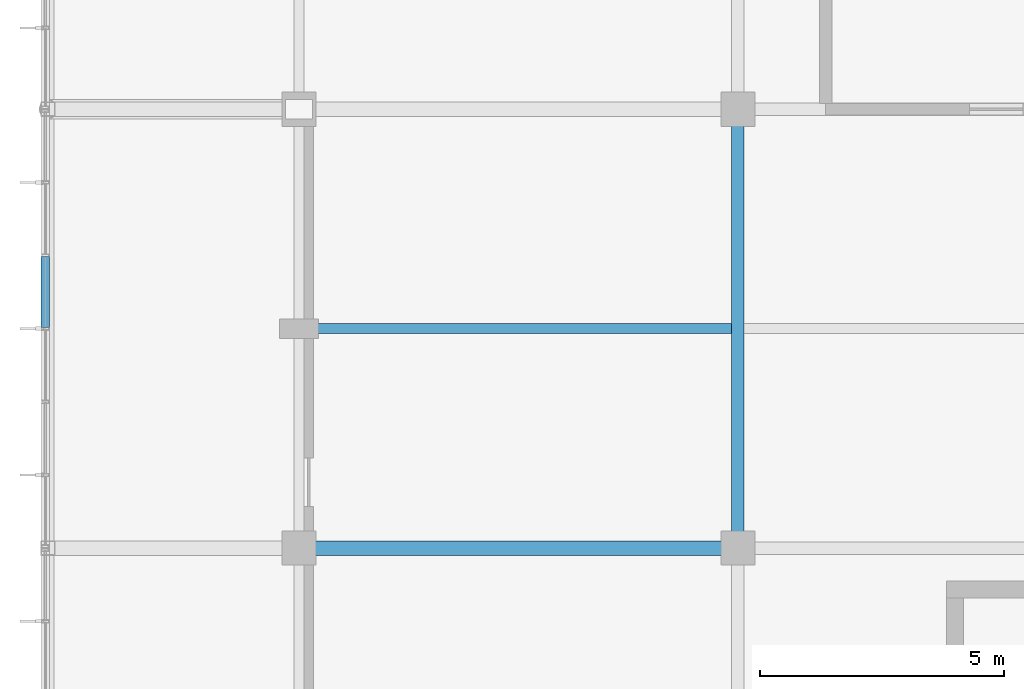
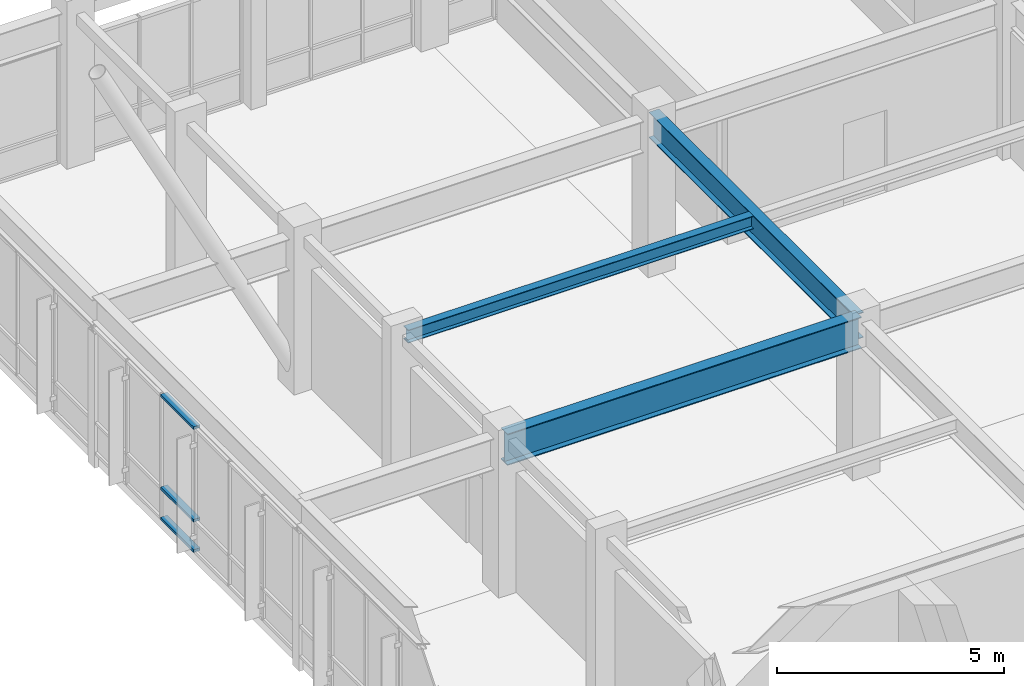
# One storey, part 19 of 55: 3 beams, 3 members, 1 element without a shape of its own.
"""IFC4 building model written with IfcOpenShell, lengths in metres."""

from ifc_helpers import new_model, si_unit, direction, frame, origin, origin_2d, place, context, subcontext, project, spatial, hollow_rectangle, i_section, extrude, material, layer, layer_set, material_profile, profile_set, type_object, element, aggregate, save


model = new_model("IFC4")

# Units and contexts
model_context = context("Model", 3, precision=1e-05, world=origin(), true_north=direction((0.0, 1.0)))
body_context = subcontext(model_context, "Body", "Model", "MODEL_VIEW")
ifc_project = project(units=[si_unit("LENGTHUNIT", "METRE"), si_unit("AREAUNIT", "SQUARE_METRE"), si_unit("VOLUMEUNIT", "CUBIC_METRE"), si_unit("PLANEANGLEUNIT", "RADIAN"), si_unit("MASSUNIT", "GRAM", prefix="KILO")], contexts=[model_context])

# Site, building, storey
site_placement = place(None, origin())
site = spatial("IfcSite", under=ifc_project, at=site_placement, CompositionType="ELEMENT")
building_placement = place(site_placement, origin())
building = spatial("IfcBuilding", under=site, at=building_placement, Name="Ventoquebrada Cableway Terminal", CompositionType="ELEMENT")
storey_placement = place(building_placement, frame((0.0, 0.0, 14.39990234375)))
storey = spatial("IfcBuildingStorey", under=building, at=storey_placement, Name="L03", CompositionType="ELEMENT", Elevation=14.39990234375)

# Beams
ifc_material_1 = material(Name="Steel ASTM A992 Grade 50", Category="steel")
ifc_material_profile_1 = material_profile(ifc_material_1, i_section(OverallWidth=0.25390625, OverallDepth=0.68798828125, WebThickness=0.01318359375, FlangeThickness=0.02099609375, at=origin_2d()), Name="W27X102")
ifc_profile_set_1 = profile_set([ifc_material_profile_1], Name="Steel ASTM A992 Grade 50")
beam_type_1 = type_object("IfcBeamType", Name="BM-ST04", PredefinedType="BEAM", material=ifc_profile_set_1)
beam_1_placement = place(storey_placement, frame((17.199951171875, 95.0, 3.821044921875), z_axis=(0.0, 1.0, 0.0), x_axis=(-1.0, 0.0, 0.0)))
element("IfcBeam", 1, at=beam_1_placement, inside=storey, type_object=beam_type_1, Name="Primary frame girder FBM-0517", PredefinedType="BEAM", context=body_context, shape_type="SweptSolid", body=[
    extrude(i_section(OverallWidth=0.25390625, OverallDepth=0.68798828125, WebThickness=0.01318359375, FlangeThickness=0.02099609375, at=origin_2d()), origin(), (0.0, 0.0, 1.0), 9.0),
])
ifc_material_profile_2 = material_profile(ifc_material_1, i_section(OverallWidth=0.2919921875, OverallDepth=0.845947265625, WebThickness=0.015380859375, FlangeThickness=0.0244140625, at=origin_2d()), Name="W33X141")
ifc_profile_set_2 = profile_set([ifc_material_profile_2], Name="Steel ASTM A992 Grade 50")
beam_type_2 = type_object("IfcBeamType", Name="BM-ST06", PredefinedType="BEAM", material=ifc_profile_set_2)
beam_2_placement = place(storey_placement, frame((8.199951171875, 95.0, 3.7421875), z_axis=(1.0, 0.0, 0.0), x_axis=(0.0, 1.0, 0.0)))
element("IfcBeam", 2, at=beam_2_placement, inside=storey, type_object=beam_type_2, Name="Primary frame girder FBM-0495", PredefinedType="BEAM", context=body_context, shape_type="SweptSolid", body=[
    extrude(i_section(OverallWidth=0.2919921875, OverallDepth=0.845947265625, WebThickness=0.015380859375, FlangeThickness=0.0244140625, at=origin_2d()), origin(), (0.0, 0.0, 1.0), 9.0),
])

# Curtain wall, members
ifc_material_2 = material(Name="Anodized thermally-broken aluminium", Category="aluminium")
ifc_layer = layer(ifc_material_2, 0.159912109375)
ifc_layer_set = layer_set([ifc_layer], Name="Anodized thermally-broken aluminium")
curtain_wall_type = type_object("IfcCurtainWallType", Name="CW-T23", PredefinedType="USERDEFINED", material=ifc_layer_set)
curtain_wall_placement = place(storey_placement, origin())
curtain_wall = element("IfcCurtainWall", 3, at=curtain_wall_placement, inside=storey, type_object=curtain_wall_type, Name="Unitised glazed curtain wall CW-058", ObjectType="UNITISED CURTAIN WALL", PredefinedType="USERDEFINED")
ifc_material_profile_3 = material_profile(ifc_material_2, hollow_rectangle(XDim=0.074951171875, YDim=0.169921875, WallThickness=0.00439453125, at=origin_2d()), Name="CW-TRN-75X170")
ifc_profile_set_3 = profile_set([ifc_material_profile_3], Name="Anodized thermally-broken aluminium")
member_type = type_object("IfcMemberType", Name="CWT-03", PredefinedType="USERDEFINED", material=ifc_profile_set_3)
member_1_placement = place(storey_placement, frame((3.0, 100.97509765625, 0.03515625), z_axis=(0.0, -1.0, 0.0), x_axis=(0.0, 0.0, 1.0)))
member_1 = element("IfcMember", 4, at=member_1_placement, type_object=member_type, Name="Curtain wall transom FTR-0780", ObjectType="TRANSOM", PredefinedType="USERDEFINED", context=body_context, shape_type="SweptSolid", body=[
    extrude(hollow_rectangle(XDim=0.074951171875, YDim=0.169921875, WallThickness=0.00439453125, at=origin_2d()), origin(), (0.0, 0.0, 1.0), 1.4501953125),
])
member_2_placement = place(storey_placement, frame((3.0, 100.97509765625, 0.85009765625), z_axis=(0.0, -1.0, 0.0), x_axis=(0.0, 0.0, 1.0)))
member_2 = element("IfcMember", 5, at=member_2_placement, type_object=member_type, Name="Curtain wall transom FTR-0781", ObjectType="TRANSOM", PredefinedType="USERDEFINED", context=body_context, shape_type="SweptSolid", body=[
    extrude(hollow_rectangle(XDim=0.074951171875, YDim=0.169921875, WallThickness=0.00439453125, at=origin_2d()), origin(), (0.0, 0.0, 1.0), 1.4501953125),
])
member_3_placement = place(storey_placement, frame((3.0, 100.97509765625, 3.337158203125), z_axis=(0.0, -1.0, 0.0), x_axis=(0.0, 0.0, 1.0)))
member_3 = element("IfcMember", 6, at=member_3_placement, type_object=member_type, Name="Curtain wall transom FTR-0782", ObjectType="TRANSOM", PredefinedType="USERDEFINED", context=body_context, shape_type="SweptSolid", body=[
    extrude(hollow_rectangle(XDim=0.074951171875, YDim=0.169921875, WallThickness=0.00439453125, at=origin_2d()), origin(), (0.0, 0.0, 1.0), 1.4501953125),
])
aggregate(curtain_wall, [member_1, member_2, member_3])

# Beam
ifc_material_profile_4 = material_profile(ifc_material_1, i_section(OverallWidth=0.2041015625, OverallDepth=0.35009765625, WebThickness=0.008544921875, FlangeThickness=0.01513671875, at=origin_2d()), Name="W14X48")
ifc_profile_set_4 = profile_set([ifc_material_profile_4], Name="Steel ASTM A992 Grade 50")
beam_type_3 = type_object("IfcBeamType", Name="JST-ST05", PredefinedType="JOIST", material=ifc_profile_set_4)
beam_3_placement = place(storey_placement, frame((8.300048828125, 99.5, 3.989990234375), z_axis=(1.0, 0.0, 0.0), x_axis=(0.0, 1.0, 0.0)))
element("IfcBeam", 7, at=beam_3_placement, inside=storey, type_object=beam_type_3, Name="Secondary floor joist JB-023", PredefinedType="JOIST", context=body_context, shape_type="SweptSolid", body=[
    extrude(i_section(OverallWidth=0.2041015625, OverallDepth=0.35009765625, WebThickness=0.008544921875, FlangeThickness=0.01513671875, at=origin_2d()), origin(), (0.0, 0.0, 1.0), 8.77294921875),
])

save(model, "model.ifc")
